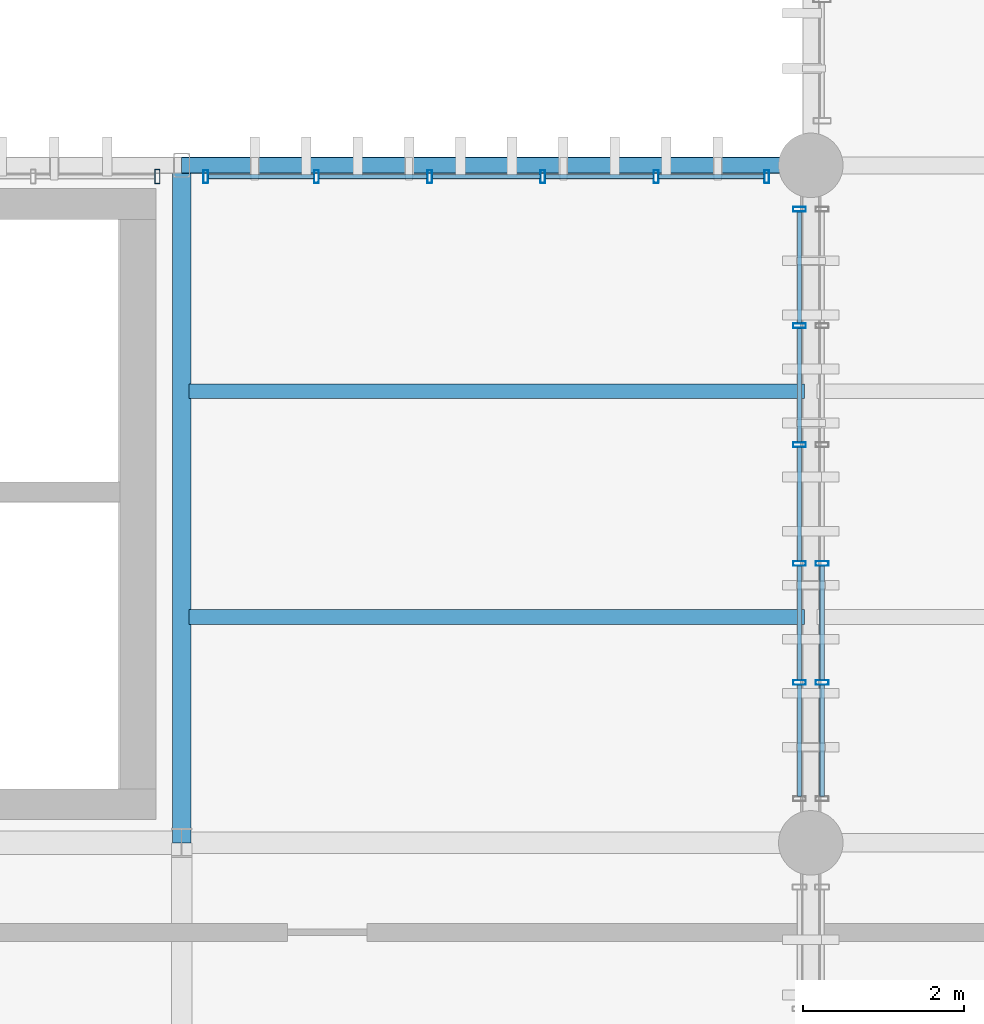
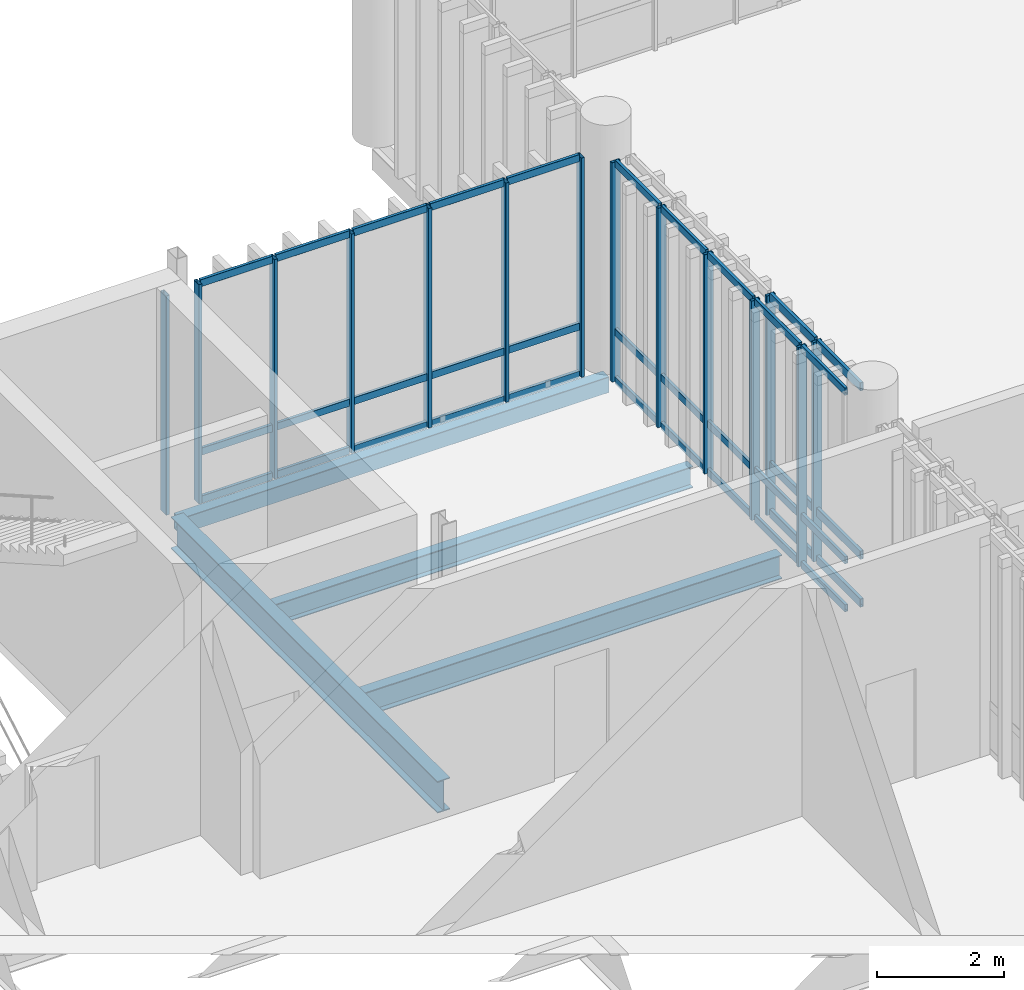
# One storey, part 28 of 94: 50 members, 4 beams, 4 elements without a shape of their own.
"""IFC4 building model written with IfcOpenShell, lengths in metres."""

from ifc_helpers import new_model, si_unit, direction, frame, origin_with_axes, origin_2d_with_axis, place, context, subcontext, project, spatial, hollow_rectangle, i_section, extrude, material, material_profile, profile_set, type_object, element, aggregate, save


model = new_model("IFC4")

# Units and contexts
model_context = context("Model", 3, precision=1e-05, world=origin_with_axes(), true_north=direction((0.0, 1.0)))
body_context = subcontext(model_context, "Body", "Model", "MODEL_VIEW")
ifc_project = project(units=[si_unit("LENGTHUNIT", "METRE"), si_unit("AREAUNIT", "SQUARE_METRE"), si_unit("VOLUMEUNIT", "CUBIC_METRE"), si_unit("PLANEANGLEUNIT", "RADIAN"), si_unit("MASSUNIT", "GRAM", prefix="KILO"), si_unit("THERMODYNAMICTEMPERATUREUNIT", "KELVIN")], contexts=[model_context])

# Site, building, storey
site_placement = place(None, origin_with_axes())
site = spatial("IfcSite", under=ifc_project, at=site_placement, CompositionType="ELEMENT")
building_placement = place(site_placement, origin_with_axes())
building = spatial("IfcBuilding", under=site, at=building_placement, Name="Montbau Bow Law Courts", CompositionType="ELEMENT")
storey_placement = place(building_placement, frame((0.0, 0.0, 15.6), z_axis=(0.0, 0.0, 1.0), x_axis=(1.0, 0.0, 0.0)))
storey = spatial("IfcBuildingStorey", under=building, at=storey_placement, Name="L03", CompositionType="ELEMENT", Elevation=15.6)

# Beams
ifc_material_1 = material(Name="Steel CSA G40.21 Grade 350W (350 MPa)", Category="steel")
ifc_material_profile_1 = material_profile(ifc_material_1, i_section(OverallWidth=0.229, OverallDepth=0.612, WebThickness=0.0119, FlangeThickness=0.0196, at=origin_2d_with_axis()), Name="W610X125", Category="Main", Priority=0)
ifc_profile_set_1 = profile_set([ifc_material_profile_1], Name="Steel CSA G40.21 Grade 350W (350 MPa)")
beam_type_1 = type_object("IfcBeamType", Name="B-FLR-05", PredefinedType="BEAM", material=ifc_profile_set_1)
beam_1_placement = place(None, frame((39.0, 46.2, 15.054), z_axis=(0.0, 1.0, 0.0), x_axis=(-1.0, 0.0, 0.0)))
element("IfcBeam", 1, at=beam_1_placement, inside=storey, type_object=beam_type_1, Name="BM-L03-S0613:bm2_0616", PredefinedType="BEAM", context=body_context, shape_type="SweptSolid", body=[
    extrude(i_section(OverallWidth=0.229, OverallDepth=0.612, WebThickness=0.0119, FlangeThickness=0.0196, at=origin_2d_with_axis()), origin_with_axes(), (0.0, 0.0, 1.0), 8.4),
])
ifc_material_profile_2 = material_profile(ifc_material_1, i_section(OverallWidth=0.191, OverallDepth=0.46, WebThickness=0.0099, FlangeThickness=0.016, at=origin_2d_with_axis()), Name="W460X82", Category="Main", Priority=0)
ifc_profile_set_2 = profile_set([ifc_material_profile_2], Name="Steel CSA G40.21 Grade 350W (350 MPa)")
beam_type_2 = type_object("IfcBeamType", Name="B-JST-01", PredefinedType="JOIST", material=ifc_profile_set_2)
beam_2_placement = place(None, frame((39.09, 49.0, 15.11), z_axis=(1.0, 0.0, 0.0), x_axis=(0.0, 1.0, 0.0)))
element("IfcBeam", 2, at=beam_2_placement, inside=storey, type_object=beam_type_2, Name="JST-L03-S0300:jst2_0300", PredefinedType="JOIST", context=body_context, shape_type="SweptSolid", body=[
    extrude(i_section(OverallWidth=0.191, OverallDepth=0.46, WebThickness=0.0099, FlangeThickness=0.016, at=origin_2d_with_axis()), origin_with_axes(), (0.0, 0.0, 1.0), 7.63),
])
ifc_material_profile_3 = material_profile(ifc_material_1, i_section(OverallWidth=0.179, OverallDepth=0.41, WebThickness=0.0088, FlangeThickness=0.0144, at=origin_2d_with_axis()), Name="W410X67", Category="Main", Priority=0)
ifc_profile_set_3 = profile_set([ifc_material_profile_3], Name="Steel CSA G40.21 Grade 350W (350 MPa)")
beam_type_3 = type_object("IfcBeamType", Name="B-JST-02", PredefinedType="JOIST", material=ifc_profile_set_3)
beam_3_placement = place(None, frame((39.09, 51.8, 15.135), z_axis=(1.0, 0.0, 0.0), x_axis=(0.0, 1.0, 0.0)))
element("IfcBeam", 3, at=beam_3_placement, inside=storey, type_object=beam_type_3, Name="JST-L03-S0301:jst2_0301", PredefinedType="JOIST", context=body_context, shape_type="SweptSolid", body=[
    extrude(i_section(OverallWidth=0.179, OverallDepth=0.41, WebThickness=0.0088, FlangeThickness=0.0144, at=origin_2d_with_axis()), origin_with_axes(), (0.0, 0.0, 1.0), 7.63),
])
ifc_material_2 = material(Name="Steel CSA G40.21 Grade 350WT (350 MPa)", Category="steel")
ifc_material_profile_4 = material_profile(ifc_material_2, hollow_rectangle(XDim=0.203, YDim=0.305, WallThickness=0.0127, InnerFilletRadius=0.0254, OuterFilletRadius=0.0127, at=origin_2d_with_axis()), Name="HSS305X203X13", Category="Main", Priority=0)
ifc_profile_set_4 = profile_set([ifc_material_profile_4], Name="Steel CSA G40.21 Grade 350WT (350 MPa)")
beam_type_4 = type_object("IfcBeamType", Name="B-SPN-02", PredefinedType="SPANDREL", material=ifc_profile_set_4)
beam_4_placement = place(None, frame((39.0, 54.6, 15.188), z_axis=(1.0, 0.0, 0.0), x_axis=(0.0, 1.0, 0.0)))
element("IfcBeam", 4, at=beam_4_placement, inside=storey, type_object=beam_type_4, Name="SPN-L03-S0600:bm2_0603", PredefinedType="SPANDREL", context=body_context, shape_type="SweptSolid", body=[
    extrude(hollow_rectangle(XDim=0.203, YDim=0.305, WallThickness=0.0127, InnerFilletRadius=0.0254, OuterFilletRadius=0.0127, at=origin_2d_with_axis()), origin_with_axes(), (0.0, 0.0, 1.0), 7.8),
])

# Curtain wall, member
ifc_material_3 = material(Name="Thermally Broken Extruded Aluminium AA 6063-T6", Category="aluminium")
curtain_wall_type_1 = type_object("IfcCurtainWallType", Name="CW-TRC-01", PredefinedType="NOTDEFINED", material=ifc_material_3)
curtain_wall_1_placement = place(None, frame((30.867, 54.46, 15.6), z_axis=(0.0, 0.0, 1.0), x_axis=(1.0, 0.0, 0.0)))
curtain_wall_1 = element("IfcCurtainWall", 5, at=curtain_wall_1_placement, inside=storey, type_object=curtain_wall_type_1, Name="CW-L03-058:cw_0058", PredefinedType="NOTDEFINED")
ifc_material_profile_5 = material_profile(ifc_material_3, hollow_rectangle(XDim=0.065, YDim=0.18, WallThickness=0.005, InnerFilletRadius=0.01, OuterFilletRadius=0.005, at=origin_2d_with_axis()), Name="CWM-180X65", Category="Main", Priority=0)
ifc_profile_set_5 = profile_set([ifc_material_profile_5], Name="Thermally Broken Extruded Aluminium AA 6063-T6")
member_type_1 = type_object("IfcMemberType", Name="M-MUL-02", PredefinedType="MULLION", material=ifc_profile_set_5)
member_1_placement = place(None, frame((38.699, 54.46, 15.6), z_axis=(0.0, 0.0, 1.0), x_axis=(1.0, 0.0, 0.0)))
member_1 = element("IfcMember", 6, at=member_1_placement, type_object=member_type_1, Name="CW-L03-058-M06:cw_0058_M06", PredefinedType="MULLION", context=body_context, shape_type="SweptSolid", body=[
    extrude(hollow_rectangle(XDim=0.065, YDim=0.18, WallThickness=0.005, InnerFilletRadius=0.01, OuterFilletRadius=0.005, at=origin_2d_with_axis()), origin_with_axes(), (0.0, 0.0, 1.0), 4.22),
])
aggregate(curtain_wall_1, [member_1])

# Curtain wall, members
curtain_wall_2_placement = place(None, frame((39.268, 54.46, 15.6), z_axis=(0.0, 0.0, 1.0), x_axis=(1.0, 0.0, 0.0)))
curtain_wall_2 = element("IfcCurtainWall", 7, at=curtain_wall_2_placement, inside=storey, type_object=curtain_wall_type_1, Name="CW-L03-059:cw_0059", PredefinedType="NOTDEFINED")
ifc_material_profile_6 = material_profile(ifc_material_3, hollow_rectangle(XDim=0.06, YDim=0.16, WallThickness=0.004, InnerFilletRadius=0.008, OuterFilletRadius=0.004, at=origin_2d_with_axis()), Name="CWM-160X60", Category="Main", Priority=0)
ifc_profile_set_6 = profile_set([ifc_material_profile_6], Name="Thermally Broken Extruded Aluminium AA 6063-T6")
member_type_2 = type_object("IfcMemberType", Name="M-MUL-03", PredefinedType="MULLION", material=ifc_profile_set_6)
member_2_placement = place(None, frame((39.298, 54.46, 15.6), z_axis=(0.0, 0.0, 1.0), x_axis=(1.0, 0.0, 0.0)))
member_2 = element("IfcMember", 8, at=member_2_placement, type_object=member_type_2, Name="CW-L03-059-M01:cw_0059_M01", PredefinedType="MULLION", context=body_context, shape_type="SweptSolid", body=[
    extrude(hollow_rectangle(XDim=0.06, YDim=0.16, WallThickness=0.004, InnerFilletRadius=0.008, OuterFilletRadius=0.004, at=origin_2d_with_axis()), origin_with_axes(), (0.0, 0.0, 1.0), 4.22),
])
member_3_placement = place(None, frame((40.671, 54.46, 15.6), z_axis=(0.0, 0.0, 1.0), x_axis=(1.0, 0.0, 0.0)))
member_3 = element("IfcMember", 9, at=member_3_placement, type_object=member_type_2, Name="CW-L03-059-M02:cw_0059_M02", PredefinedType="MULLION", context=body_context, shape_type="SweptSolid", body=[
    extrude(hollow_rectangle(XDim=0.06, YDim=0.16, WallThickness=0.004, InnerFilletRadius=0.008, OuterFilletRadius=0.004, at=origin_2d_with_axis()), origin_with_axes(), (0.0, 0.0, 1.0), 4.22),
])
member_4_placement = place(None, frame((42.075, 54.46, 15.6), z_axis=(0.0, 0.0, 1.0), x_axis=(1.0, 0.0, 0.0)))
member_4 = element("IfcMember", 10, at=member_4_placement, type_object=member_type_2, Name="CW-L03-059-M03:cw_0059_M03", PredefinedType="MULLION", context=body_context, shape_type="SweptSolid", body=[
    extrude(hollow_rectangle(XDim=0.06, YDim=0.16, WallThickness=0.004, InnerFilletRadius=0.008, OuterFilletRadius=0.004, at=origin_2d_with_axis()), origin_with_axes(), (0.0, 0.0, 1.0), 4.22),
])
member_5_placement = place(None, frame((43.478, 54.46, 15.6), z_axis=(0.0, 0.0, 1.0), x_axis=(1.0, 0.0, 0.0)))
member_5 = element("IfcMember", 11, at=member_5_placement, type_object=member_type_2, Name="CW-L03-059-M04:cw_0059_M04", PredefinedType="MULLION", context=body_context, shape_type="SweptSolid", body=[
    extrude(hollow_rectangle(XDim=0.06, YDim=0.16, WallThickness=0.004, InnerFilletRadius=0.008, OuterFilletRadius=0.004, at=origin_2d_with_axis()), origin_with_axes(), (0.0, 0.0, 1.0), 4.22),
])
member_6_placement = place(None, frame((44.882, 54.46, 15.6), z_axis=(0.0, 0.0, 1.0), x_axis=(1.0, 0.0, 0.0)))
member_6 = element("IfcMember", 12, at=member_6_placement, type_object=member_type_2, Name="CW-L03-059-M05:cw_0059_M05", PredefinedType="MULLION", context=body_context, shape_type="SweptSolid", body=[
    extrude(hollow_rectangle(XDim=0.06, YDim=0.16, WallThickness=0.004, InnerFilletRadius=0.008, OuterFilletRadius=0.004, at=origin_2d_with_axis()), origin_with_axes(), (0.0, 0.0, 1.0), 4.22),
])
member_7_placement = place(None, frame((46.255, 54.46, 15.6), z_axis=(0.0, 0.0, 1.0), x_axis=(1.0, 0.0, 0.0)))
member_7 = element("IfcMember", 13, at=member_7_placement, type_object=member_type_2, Name="CW-L03-059-M06:cw_0059_M06", PredefinedType="MULLION", context=body_context, shape_type="SweptSolid", body=[
    extrude(hollow_rectangle(XDim=0.06, YDim=0.16, WallThickness=0.004, InnerFilletRadius=0.008, OuterFilletRadius=0.004, at=origin_2d_with_axis()), origin_with_axes(), (0.0, 0.0, 1.0), 4.22),
])

curtain_wall_3_placement = place(None, frame((46.66, 46.715, 15.6), z_axis=(0.0, 0.0, 1.0), x_axis=(1.0, 0.0, 0.0)))
curtain_wall_3 = element("IfcCurtainWall", 14, at=curtain_wall_3_placement, inside=storey, type_object=curtain_wall_type_1, Name="CW-L03-065:cw_0065", PredefinedType="NOTDEFINED")
member_8_placement = place(None, frame((46.66, 48.189, 15.6), z_axis=(0.0, 0.0, 1.0), x_axis=(0.0, 1.0, 0.0)))
member_8 = element("IfcMember", 15, at=member_8_placement, type_object=member_type_2, Name="CW-L03-065-M02:cw_0065_M02", PredefinedType="MULLION", context=body_context, shape_type="SweptSolid", body=[
    extrude(hollow_rectangle(XDim=0.06, YDim=0.16, WallThickness=0.004, InnerFilletRadius=0.008, OuterFilletRadius=0.004, at=origin_2d_with_axis()), origin_with_axes(), (0.0, 0.0, 1.0), 4.22),
])
member_9_placement = place(None, frame((46.66, 49.663, 15.6), z_axis=(0.0, 0.0, 1.0), x_axis=(0.0, 1.0, 0.0)))
member_9 = element("IfcMember", 16, at=member_9_placement, type_object=member_type_2, Name="CW-L03-065-M03:cw_0065_M03", PredefinedType="MULLION", context=body_context, shape_type="SweptSolid", body=[
    extrude(hollow_rectangle(XDim=0.06, YDim=0.16, WallThickness=0.004, InnerFilletRadius=0.008, OuterFilletRadius=0.004, at=origin_2d_with_axis()), origin_with_axes(), (0.0, 0.0, 1.0), 4.22),
])
member_10_placement = place(None, frame((46.66, 51.137, 15.6), z_axis=(0.0, 0.0, 1.0), x_axis=(0.0, 1.0, 0.0)))
member_10 = element("IfcMember", 17, at=member_10_placement, type_object=member_type_2, Name="CW-L03-065-M04:cw_0065_M04", PredefinedType="MULLION", context=body_context, shape_type="SweptSolid", body=[
    extrude(hollow_rectangle(XDim=0.06, YDim=0.16, WallThickness=0.004, InnerFilletRadius=0.008, OuterFilletRadius=0.004, at=origin_2d_with_axis()), origin_with_axes(), (0.0, 0.0, 1.0), 4.22),
])
member_11_placement = place(None, frame((46.66, 52.611, 15.6), z_axis=(0.0, 0.0, 1.0), x_axis=(0.0, 1.0, 0.0)))
member_11 = element("IfcMember", 18, at=member_11_placement, type_object=member_type_2, Name="CW-L03-065-M05:cw_0065_M05", PredefinedType="MULLION", context=body_context, shape_type="SweptSolid", body=[
    extrude(hollow_rectangle(XDim=0.06, YDim=0.16, WallThickness=0.004, InnerFilletRadius=0.008, OuterFilletRadius=0.004, at=origin_2d_with_axis()), origin_with_axes(), (0.0, 0.0, 1.0), 4.22),
])
member_12_placement = place(None, frame((46.66, 54.055, 15.6), z_axis=(0.0, 0.0, 1.0), x_axis=(0.0, 1.0, 0.0)))
member_12 = element("IfcMember", 19, at=member_12_placement, type_object=member_type_2, Name="CW-L03-065-M06:cw_0065_M06", PredefinedType="MULLION", context=body_context, shape_type="SweptSolid", body=[
    extrude(hollow_rectangle(XDim=0.06, YDim=0.16, WallThickness=0.004, InnerFilletRadius=0.008, OuterFilletRadius=0.004, at=origin_2d_with_axis()), origin_with_axes(), (0.0, 0.0, 1.0), 4.22),
])

curtain_wall_type_2 = type_object("IfcCurtainWallType", Name="CW-CRM-01", PredefinedType="NOTDEFINED", material=ifc_material_3)
curtain_wall_4_placement = place(None, frame((46.94, 46.715, 15.6), z_axis=(0.0, 0.0, 1.0), x_axis=(1.0, 0.0, 0.0)))
curtain_wall_4 = element("IfcCurtainWall", 20, at=curtain_wall_4_placement, inside=storey, type_object=curtain_wall_type_2, Name="CW-L03-188:cw_0188", PredefinedType="NOTDEFINED")
member_13_placement = place(None, frame((46.94, 48.189, 15.6), z_axis=(0.0, 0.0, 1.0), x_axis=(0.0, 1.0, 0.0)))
member_13 = element("IfcMember", 21, at=member_13_placement, type_object=member_type_2, Name="CW-L03-188-M02:cw_0188_M02", PredefinedType="MULLION", context=body_context, shape_type="SweptSolid", body=[
    extrude(hollow_rectangle(XDim=0.06, YDim=0.16, WallThickness=0.004, InnerFilletRadius=0.008, OuterFilletRadius=0.004, at=origin_2d_with_axis()), origin_with_axes(), (0.0, 0.0, 1.0), 4.22),
])
member_14_placement = place(None, frame((46.94, 49.663, 15.6), z_axis=(0.0, 0.0, 1.0), x_axis=(0.0, 1.0, 0.0)))
member_14 = element("IfcMember", 22, at=member_14_placement, type_object=member_type_2, Name="CW-L03-188-M03:cw_0188_M03", PredefinedType="MULLION", context=body_context, shape_type="SweptSolid", body=[
    extrude(hollow_rectangle(XDim=0.06, YDim=0.16, WallThickness=0.004, InnerFilletRadius=0.008, OuterFilletRadius=0.004, at=origin_2d_with_axis()), origin_with_axes(), (0.0, 0.0, 1.0), 4.22),
])
ifc_material_profile_7 = material_profile(ifc_material_3, hollow_rectangle(XDim=0.06, YDim=0.16, WallThickness=0.004, InnerFilletRadius=0.008, OuterFilletRadius=0.004, at=origin_2d_with_axis()), Name="CWT-160X60", Category="Main", Priority=0)
ifc_profile_set_7 = profile_set([ifc_material_profile_7], Name="Thermally Broken Extruded Aluminium AA 6063-T6")
member_type_3 = type_object("IfcMemberType", Name="M-TRN-01", PredefinedType="USERDEFINED", material=ifc_profile_set_7)
member_15_placement = place(None, frame((46.94, 46.777, 15.63), z_axis=(0.0, 1.0, 0.0), x_axis=(-1.0, 0.0, 0.0)))
member_15 = element("IfcMember", 23, at=member_15_placement, type_object=member_type_3, Name="CW-L03-188-T01-1:cw_0188_T01_1", ObjectType="TRANSOM", PredefinedType="USERDEFINED", context=body_context, shape_type="SweptSolid", body=[
    extrude(hollow_rectangle(XDim=0.06, YDim=0.16, WallThickness=0.004, InnerFilletRadius=0.008, OuterFilletRadius=0.004, at=origin_2d_with_axis()), origin_with_axes(), (0.0, 0.0, 1.0), 1.38),
])
member_16_placement = place(None, frame((46.94, 46.777, 16.55), z_axis=(0.0, 1.0, 0.0), x_axis=(-1.0, 0.0, 0.0)))
member_16 = element("IfcMember", 24, at=member_16_placement, type_object=member_type_3, Name="CW-L03-188-T01-2:cw_0188_T01_2", ObjectType="TRANSOM", PredefinedType="USERDEFINED", context=body_context, shape_type="SweptSolid", body=[
    extrude(hollow_rectangle(XDim=0.06, YDim=0.16, WallThickness=0.004, InnerFilletRadius=0.008, OuterFilletRadius=0.004, at=origin_2d_with_axis()), origin_with_axes(), (0.0, 0.0, 1.0), 1.38),
])
member_17_placement = place(None, frame((46.94, 46.777, 19.79), z_axis=(0.0, 1.0, 0.0), x_axis=(-1.0, 0.0, 0.0)))
member_17 = element("IfcMember", 25, at=member_17_placement, type_object=member_type_3, Name="CW-L03-188-T01-3:cw_0188_T01_3", ObjectType="TRANSOM", PredefinedType="USERDEFINED", context=body_context, shape_type="SweptSolid", body=[
    extrude(hollow_rectangle(XDim=0.06, YDim=0.16, WallThickness=0.004, InnerFilletRadius=0.008, OuterFilletRadius=0.004, at=origin_2d_with_axis()), origin_with_axes(), (0.0, 0.0, 1.0), 1.38),
])
member_18_placement = place(None, frame((46.94, 48.221, 15.63), z_axis=(0.0, 1.0, 0.0), x_axis=(-1.0, 0.0, 0.0)))
member_18 = element("IfcMember", 26, at=member_18_placement, type_object=member_type_3, Name="CW-L03-188-T02-1:cw_0188_T02_1", ObjectType="TRANSOM", PredefinedType="USERDEFINED", context=body_context, shape_type="SweptSolid", body=[
    extrude(hollow_rectangle(XDim=0.06, YDim=0.16, WallThickness=0.004, InnerFilletRadius=0.008, OuterFilletRadius=0.004, at=origin_2d_with_axis()), origin_with_axes(), (0.0, 0.0, 1.0), 1.41),
])
member_19_placement = place(None, frame((46.94, 48.221, 16.55), z_axis=(0.0, 1.0, 0.0), x_axis=(-1.0, 0.0, 0.0)))
member_19 = element("IfcMember", 27, at=member_19_placement, type_object=member_type_3, Name="CW-L03-188-T02-2:cw_0188_T02_2", ObjectType="TRANSOM", PredefinedType="USERDEFINED", context=body_context, shape_type="SweptSolid", body=[
    extrude(hollow_rectangle(XDim=0.06, YDim=0.16, WallThickness=0.004, InnerFilletRadius=0.008, OuterFilletRadius=0.004, at=origin_2d_with_axis()), origin_with_axes(), (0.0, 0.0, 1.0), 1.41),
])
member_20_placement = place(None, frame((46.94, 48.221, 19.79), z_axis=(0.0, 1.0, 0.0), x_axis=(-1.0, 0.0, 0.0)))
member_20 = element("IfcMember", 28, at=member_20_placement, type_object=member_type_3, Name="CW-L03-188-T02-3:cw_0188_T02_3", ObjectType="TRANSOM", PredefinedType="USERDEFINED", context=body_context, shape_type="SweptSolid", body=[
    extrude(hollow_rectangle(XDim=0.06, YDim=0.16, WallThickness=0.004, InnerFilletRadius=0.008, OuterFilletRadius=0.004, at=origin_2d_with_axis()), origin_with_axes(), (0.0, 0.0, 1.0), 1.41),
])
aggregate(curtain_wall_4, [member_13, member_14, member_15, member_16, member_17, member_18, member_19, member_20])

# Member
ifc_material_profile_8 = material_profile(ifc_material_3, hollow_rectangle(XDim=0.055, YDim=0.14, WallThickness=0.004, InnerFilletRadius=0.008, OuterFilletRadius=0.004, at=origin_2d_with_axis()), Name="CWT-140X55", Category="Main", Priority=0)
ifc_profile_set_8 = profile_set([ifc_material_profile_8], Name="Thermally Broken Extruded Aluminium AA 6063-T6")
member_type_4 = type_object("IfcMemberType", Name="M-TRN-02", PredefinedType="USERDEFINED", material=ifc_profile_set_8)
member_21_placement = place(None, frame((39.33, 54.46, 15.627), z_axis=(1.0, 0.0, 0.0), x_axis=(0.0, 1.0, 0.0)))
member_21 = element("IfcMember", 29, at=member_21_placement, type_object=member_type_4, Name="CW-L03-059-T01-1:cw_0059_T01_1", ObjectType="TRANSOM", PredefinedType="USERDEFINED", context=body_context, shape_type="SweptSolid", body=[
    extrude(hollow_rectangle(XDim=0.055, YDim=0.14, WallThickness=0.004, InnerFilletRadius=0.008, OuterFilletRadius=0.004, at=origin_2d_with_axis()), origin_with_axes(), (0.0, 0.0, 1.0), 1.309),
])

member_22_placement = place(None, frame((39.33, 54.46, 16.55), z_axis=(1.0, 0.0, 0.0), x_axis=(0.0, 1.0, 0.0)))
member_22 = element("IfcMember", 30, at=member_22_placement, type_object=member_type_4, Name="CW-L03-059-T01-2:cw_0059_T01_2", ObjectType="TRANSOM", PredefinedType="USERDEFINED", context=body_context, shape_type="SweptSolid", body=[
    extrude(hollow_rectangle(XDim=0.055, YDim=0.14, WallThickness=0.004, InnerFilletRadius=0.008, OuterFilletRadius=0.004, at=origin_2d_with_axis()), origin_with_axes(), (0.0, 0.0, 1.0), 1.309),
])

member_23_placement = place(None, frame((39.33, 54.46, 19.793), z_axis=(1.0, 0.0, 0.0), x_axis=(0.0, 1.0, 0.0)))
member_23 = element("IfcMember", 31, at=member_23_placement, type_object=member_type_4, Name="CW-L03-059-T01-3:cw_0059_T01_3", ObjectType="TRANSOM", PredefinedType="USERDEFINED", context=body_context, shape_type="SweptSolid", body=[
    extrude(hollow_rectangle(XDim=0.055, YDim=0.14, WallThickness=0.004, InnerFilletRadius=0.008, OuterFilletRadius=0.004, at=origin_2d_with_axis()), origin_with_axes(), (0.0, 0.0, 1.0), 1.309),
])

member_24_placement = place(None, frame((40.703, 54.46, 15.627), z_axis=(1.0, 0.0, 0.0), x_axis=(0.0, 1.0, 0.0)))
member_24 = element("IfcMember", 32, at=member_24_placement, type_object=member_type_4, Name="CW-L03-059-T02-1:cw_0059_T02_1", ObjectType="TRANSOM", PredefinedType="USERDEFINED", context=body_context, shape_type="SweptSolid", body=[
    extrude(hollow_rectangle(XDim=0.055, YDim=0.14, WallThickness=0.004, InnerFilletRadius=0.008, OuterFilletRadius=0.004, at=origin_2d_with_axis()), origin_with_axes(), (0.0, 0.0, 1.0), 1.34),
])

member_25_placement = place(None, frame((40.703, 54.46, 16.55), z_axis=(1.0, 0.0, 0.0), x_axis=(0.0, 1.0, 0.0)))
member_25 = element("IfcMember", 33, at=member_25_placement, type_object=member_type_4, Name="CW-L03-059-T02-2:cw_0059_T02_2", ObjectType="TRANSOM", PredefinedType="USERDEFINED", context=body_context, shape_type="SweptSolid", body=[
    extrude(hollow_rectangle(XDim=0.055, YDim=0.14, WallThickness=0.004, InnerFilletRadius=0.008, OuterFilletRadius=0.004, at=origin_2d_with_axis()), origin_with_axes(), (0.0, 0.0, 1.0), 1.34),
])

member_26_placement = place(None, frame((40.703, 54.46, 19.793), z_axis=(1.0, 0.0, 0.0), x_axis=(0.0, 1.0, 0.0)))
member_26 = element("IfcMember", 34, at=member_26_placement, type_object=member_type_4, Name="CW-L03-059-T02-3:cw_0059_T02_3", ObjectType="TRANSOM", PredefinedType="USERDEFINED", context=body_context, shape_type="SweptSolid", body=[
    extrude(hollow_rectangle(XDim=0.055, YDim=0.14, WallThickness=0.004, InnerFilletRadius=0.008, OuterFilletRadius=0.004, at=origin_2d_with_axis()), origin_with_axes(), (0.0, 0.0, 1.0), 1.34),
])

member_27_placement = place(None, frame((42.107, 54.46, 15.627), z_axis=(1.0, 0.0, 0.0), x_axis=(0.0, 1.0, 0.0)))
member_27 = element("IfcMember", 35, at=member_27_placement, type_object=member_type_4, Name="CW-L03-059-T03-1:cw_0059_T03_1", ObjectType="TRANSOM", PredefinedType="USERDEFINED", context=body_context, shape_type="SweptSolid", body=[
    extrude(hollow_rectangle(XDim=0.055, YDim=0.14, WallThickness=0.004, InnerFilletRadius=0.008, OuterFilletRadius=0.004, at=origin_2d_with_axis()), origin_with_axes(), (0.0, 0.0, 1.0), 1.339),
])

member_28_placement = place(None, frame((42.107, 54.46, 16.55), z_axis=(1.0, 0.0, 0.0), x_axis=(0.0, 1.0, 0.0)))
member_28 = element("IfcMember", 36, at=member_28_placement, type_object=member_type_4, Name="CW-L03-059-T03-2:cw_0059_T03_2", ObjectType="TRANSOM", PredefinedType="USERDEFINED", context=body_context, shape_type="SweptSolid", body=[
    extrude(hollow_rectangle(XDim=0.055, YDim=0.14, WallThickness=0.004, InnerFilletRadius=0.008, OuterFilletRadius=0.004, at=origin_2d_with_axis()), origin_with_axes(), (0.0, 0.0, 1.0), 1.339),
])

member_29_placement = place(None, frame((42.107, 54.46, 19.793), z_axis=(1.0, 0.0, 0.0), x_axis=(0.0, 1.0, 0.0)))
member_29 = element("IfcMember", 37, at=member_29_placement, type_object=member_type_4, Name="CW-L03-059-T03-3:cw_0059_T03_3", ObjectType="TRANSOM", PredefinedType="USERDEFINED", context=body_context, shape_type="SweptSolid", body=[
    extrude(hollow_rectangle(XDim=0.055, YDim=0.14, WallThickness=0.004, InnerFilletRadius=0.008, OuterFilletRadius=0.004, at=origin_2d_with_axis()), origin_with_axes(), (0.0, 0.0, 1.0), 1.339),
])

member_30_placement = place(None, frame((43.51, 54.46, 15.627), z_axis=(1.0, 0.0, 0.0), x_axis=(0.0, 1.0, 0.0)))
member_30 = element("IfcMember", 38, at=member_30_placement, type_object=member_type_4, Name="CW-L03-059-T04-1:cw_0059_T04_1", ObjectType="TRANSOM", PredefinedType="USERDEFINED", context=body_context, shape_type="SweptSolid", body=[
    extrude(hollow_rectangle(XDim=0.055, YDim=0.14, WallThickness=0.004, InnerFilletRadius=0.008, OuterFilletRadius=0.004, at=origin_2d_with_axis()), origin_with_axes(), (0.0, 0.0, 1.0), 1.34),
])

member_31_placement = place(None, frame((43.51, 54.46, 16.55), z_axis=(1.0, 0.0, 0.0), x_axis=(0.0, 1.0, 0.0)))
member_31 = element("IfcMember", 39, at=member_31_placement, type_object=member_type_4, Name="CW-L03-059-T04-2:cw_0059_T04_2", ObjectType="TRANSOM", PredefinedType="USERDEFINED", context=body_context, shape_type="SweptSolid", body=[
    extrude(hollow_rectangle(XDim=0.055, YDim=0.14, WallThickness=0.004, InnerFilletRadius=0.008, OuterFilletRadius=0.004, at=origin_2d_with_axis()), origin_with_axes(), (0.0, 0.0, 1.0), 1.34),
])

member_32_placement = place(None, frame((43.51, 54.46, 19.793), z_axis=(1.0, 0.0, 0.0), x_axis=(0.0, 1.0, 0.0)))
member_32 = element("IfcMember", 40, at=member_32_placement, type_object=member_type_4, Name="CW-L03-059-T04-3:cw_0059_T04_3", ObjectType="TRANSOM", PredefinedType="USERDEFINED", context=body_context, shape_type="SweptSolid", body=[
    extrude(hollow_rectangle(XDim=0.055, YDim=0.14, WallThickness=0.004, InnerFilletRadius=0.008, OuterFilletRadius=0.004, at=origin_2d_with_axis()), origin_with_axes(), (0.0, 0.0, 1.0), 1.34),
])

member_33_placement = place(None, frame((44.914, 54.46, 15.627), z_axis=(1.0, 0.0, 0.0), x_axis=(0.0, 1.0, 0.0)))
member_33 = element("IfcMember", 41, at=member_33_placement, type_object=member_type_4, Name="CW-L03-059-T05-1:cw_0059_T05_1", ObjectType="TRANSOM", PredefinedType="USERDEFINED", context=body_context, shape_type="SweptSolid", body=[
    extrude(hollow_rectangle(XDim=0.055, YDim=0.14, WallThickness=0.004, InnerFilletRadius=0.008, OuterFilletRadius=0.004, at=origin_2d_with_axis()), origin_with_axes(), (0.0, 0.0, 1.0), 1.309),
])

member_34_placement = place(None, frame((44.914, 54.46, 16.55), z_axis=(1.0, 0.0, 0.0), x_axis=(0.0, 1.0, 0.0)))
member_34 = element("IfcMember", 42, at=member_34_placement, type_object=member_type_4, Name="CW-L03-059-T05-2:cw_0059_T05_2", ObjectType="TRANSOM", PredefinedType="USERDEFINED", context=body_context, shape_type="SweptSolid", body=[
    extrude(hollow_rectangle(XDim=0.055, YDim=0.14, WallThickness=0.004, InnerFilletRadius=0.008, OuterFilletRadius=0.004, at=origin_2d_with_axis()), origin_with_axes(), (0.0, 0.0, 1.0), 1.309),
])

member_35_placement = place(None, frame((44.914, 54.46, 19.793), z_axis=(1.0, 0.0, 0.0), x_axis=(0.0, 1.0, 0.0)))
member_35 = element("IfcMember", 43, at=member_35_placement, type_object=member_type_4, Name="CW-L03-059-T05-3:cw_0059_T05_3", ObjectType="TRANSOM", PredefinedType="USERDEFINED", context=body_context, shape_type="SweptSolid", body=[
    extrude(hollow_rectangle(XDim=0.055, YDim=0.14, WallThickness=0.004, InnerFilletRadius=0.008, OuterFilletRadius=0.004, at=origin_2d_with_axis()), origin_with_axes(), (0.0, 0.0, 1.0), 1.309),
])

aggregate(curtain_wall_2, [member_2, member_3, member_4, member_5, member_6, member_7, member_21, member_22, member_23, member_24, member_25, member_26, member_27, member_28, member_29, member_30, member_31, member_32, member_33, member_34, member_35])

member_36_placement = place(None, frame((46.66, 46.777, 15.627), z_axis=(0.0, 1.0, 0.0), x_axis=(-1.0, 0.0, 0.0)))
member_36 = element("IfcMember", 44, at=member_36_placement, type_object=member_type_4, Name="CW-L03-065-T01-1:cw_0065_T01_1", ObjectType="TRANSOM", PredefinedType="USERDEFINED", context=body_context, shape_type="SweptSolid", body=[
    extrude(hollow_rectangle(XDim=0.055, YDim=0.14, WallThickness=0.004, InnerFilletRadius=0.008, OuterFilletRadius=0.004, at=origin_2d_with_axis()), origin_with_axes(), (0.0, 0.0, 1.0), 1.38),
])

member_37_placement = place(None, frame((46.66, 46.777, 16.55), z_axis=(0.0, 1.0, 0.0), x_axis=(-1.0, 0.0, 0.0)))
member_37 = element("IfcMember", 45, at=member_37_placement, type_object=member_type_4, Name="CW-L03-065-T01-2:cw_0065_T01_2", ObjectType="TRANSOM", PredefinedType="USERDEFINED", context=body_context, shape_type="SweptSolid", body=[
    extrude(hollow_rectangle(XDim=0.055, YDim=0.14, WallThickness=0.004, InnerFilletRadius=0.008, OuterFilletRadius=0.004, at=origin_2d_with_axis()), origin_with_axes(), (0.0, 0.0, 1.0), 1.38),
])

member_38_placement = place(None, frame((46.66, 46.777, 19.793), z_axis=(0.0, 1.0, 0.0), x_axis=(-1.0, 0.0, 0.0)))
member_38 = element("IfcMember", 46, at=member_38_placement, type_object=member_type_4, Name="CW-L03-065-T01-3:cw_0065_T01_3", ObjectType="TRANSOM", PredefinedType="USERDEFINED", context=body_context, shape_type="SweptSolid", body=[
    extrude(hollow_rectangle(XDim=0.055, YDim=0.14, WallThickness=0.004, InnerFilletRadius=0.008, OuterFilletRadius=0.004, at=origin_2d_with_axis()), origin_with_axes(), (0.0, 0.0, 1.0), 1.38),
])

member_39_placement = place(None, frame((46.66, 48.221, 15.627), z_axis=(0.0, 1.0, 0.0), x_axis=(-1.0, 0.0, 0.0)))
member_39 = element("IfcMember", 47, at=member_39_placement, type_object=member_type_4, Name="CW-L03-065-T02-1:cw_0065_T02_1", ObjectType="TRANSOM", PredefinedType="USERDEFINED", context=body_context, shape_type="SweptSolid", body=[
    extrude(hollow_rectangle(XDim=0.055, YDim=0.14, WallThickness=0.004, InnerFilletRadius=0.008, OuterFilletRadius=0.004, at=origin_2d_with_axis()), origin_with_axes(), (0.0, 0.0, 1.0), 1.41),
])

member_40_placement = place(None, frame((46.66, 48.221, 16.55), z_axis=(0.0, 1.0, 0.0), x_axis=(-1.0, 0.0, 0.0)))
member_40 = element("IfcMember", 48, at=member_40_placement, type_object=member_type_4, Name="CW-L03-065-T02-2:cw_0065_T02_2", ObjectType="TRANSOM", PredefinedType="USERDEFINED", context=body_context, shape_type="SweptSolid", body=[
    extrude(hollow_rectangle(XDim=0.055, YDim=0.14, WallThickness=0.004, InnerFilletRadius=0.008, OuterFilletRadius=0.004, at=origin_2d_with_axis()), origin_with_axes(), (0.0, 0.0, 1.0), 1.41),
])

member_41_placement = place(None, frame((46.66, 48.221, 19.793), z_axis=(0.0, 1.0, 0.0), x_axis=(-1.0, 0.0, 0.0)))
member_41 = element("IfcMember", 49, at=member_41_placement, type_object=member_type_4, Name="CW-L03-065-T02-3:cw_0065_T02_3", ObjectType="TRANSOM", PredefinedType="USERDEFINED", context=body_context, shape_type="SweptSolid", body=[
    extrude(hollow_rectangle(XDim=0.055, YDim=0.14, WallThickness=0.004, InnerFilletRadius=0.008, OuterFilletRadius=0.004, at=origin_2d_with_axis()), origin_with_axes(), (0.0, 0.0, 1.0), 1.41),
])

member_42_placement = place(None, frame((46.66, 49.695, 15.627), z_axis=(0.0, 1.0, 0.0), x_axis=(-1.0, 0.0, 0.0)))
member_42 = element("IfcMember", 50, at=member_42_placement, type_object=member_type_4, Name="CW-L03-065-T03-1:cw_0065_T03_1", ObjectType="TRANSOM", PredefinedType="USERDEFINED", context=body_context, shape_type="SweptSolid", body=[
    extrude(hollow_rectangle(XDim=0.055, YDim=0.14, WallThickness=0.004, InnerFilletRadius=0.008, OuterFilletRadius=0.004, at=origin_2d_with_axis()), origin_with_axes(), (0.0, 0.0, 1.0), 1.41),
])

member_43_placement = place(None, frame((46.66, 49.695, 16.55), z_axis=(0.0, 1.0, 0.0), x_axis=(-1.0, 0.0, 0.0)))
member_43 = element("IfcMember", 51, at=member_43_placement, type_object=member_type_4, Name="CW-L03-065-T03-2:cw_0065_T03_2", ObjectType="TRANSOM", PredefinedType="USERDEFINED", context=body_context, shape_type="SweptSolid", body=[
    extrude(hollow_rectangle(XDim=0.055, YDim=0.14, WallThickness=0.004, InnerFilletRadius=0.008, OuterFilletRadius=0.004, at=origin_2d_with_axis()), origin_with_axes(), (0.0, 0.0, 1.0), 1.41),
])

member_44_placement = place(None, frame((46.66, 49.695, 19.793), z_axis=(0.0, 1.0, 0.0), x_axis=(-1.0, 0.0, 0.0)))
member_44 = element("IfcMember", 52, at=member_44_placement, type_object=member_type_4, Name="CW-L03-065-T03-3:cw_0065_T03_3", ObjectType="TRANSOM", PredefinedType="USERDEFINED", context=body_context, shape_type="SweptSolid", body=[
    extrude(hollow_rectangle(XDim=0.055, YDim=0.14, WallThickness=0.004, InnerFilletRadius=0.008, OuterFilletRadius=0.004, at=origin_2d_with_axis()), origin_with_axes(), (0.0, 0.0, 1.0), 1.41),
])

member_45_placement = place(None, frame((46.66, 51.169, 15.627), z_axis=(0.0, 1.0, 0.0), x_axis=(-1.0, 0.0, 0.0)))
member_45 = element("IfcMember", 53, at=member_45_placement, type_object=member_type_4, Name="CW-L03-065-T04-1:cw_0065_T04_1", ObjectType="TRANSOM", PredefinedType="USERDEFINED", context=body_context, shape_type="SweptSolid", body=[
    extrude(hollow_rectangle(XDim=0.055, YDim=0.14, WallThickness=0.004, InnerFilletRadius=0.008, OuterFilletRadius=0.004, at=origin_2d_with_axis()), origin_with_axes(), (0.0, 0.0, 1.0), 1.41),
])

member_46_placement = place(None, frame((46.66, 51.169, 16.55), z_axis=(0.0, 1.0, 0.0), x_axis=(-1.0, 0.0, 0.0)))
member_46 = element("IfcMember", 54, at=member_46_placement, type_object=member_type_4, Name="CW-L03-065-T04-2:cw_0065_T04_2", ObjectType="TRANSOM", PredefinedType="USERDEFINED", context=body_context, shape_type="SweptSolid", body=[
    extrude(hollow_rectangle(XDim=0.055, YDim=0.14, WallThickness=0.004, InnerFilletRadius=0.008, OuterFilletRadius=0.004, at=origin_2d_with_axis()), origin_with_axes(), (0.0, 0.0, 1.0), 1.41),
])

member_47_placement = place(None, frame((46.66, 51.169, 19.793), z_axis=(0.0, 1.0, 0.0), x_axis=(-1.0, 0.0, 0.0)))
member_47 = element("IfcMember", 55, at=member_47_placement, type_object=member_type_4, Name="CW-L03-065-T04-3:cw_0065_T04_3", ObjectType="TRANSOM", PredefinedType="USERDEFINED", context=body_context, shape_type="SweptSolid", body=[
    extrude(hollow_rectangle(XDim=0.055, YDim=0.14, WallThickness=0.004, InnerFilletRadius=0.008, OuterFilletRadius=0.004, at=origin_2d_with_axis()), origin_with_axes(), (0.0, 0.0, 1.0), 1.41),
])

member_48_placement = place(None, frame((46.66, 52.643, 15.627), z_axis=(0.0, 1.0, 0.0), x_axis=(-1.0, 0.0, 0.0)))
member_48 = element("IfcMember", 56, at=member_48_placement, type_object=member_type_4, Name="CW-L03-065-T05-1:cw_0065_T05_1", ObjectType="TRANSOM", PredefinedType="USERDEFINED", context=body_context, shape_type="SweptSolid", body=[
    extrude(hollow_rectangle(XDim=0.055, YDim=0.14, WallThickness=0.004, InnerFilletRadius=0.008, OuterFilletRadius=0.004, at=origin_2d_with_axis()), origin_with_axes(), (0.0, 0.0, 1.0), 1.38),
])

member_49_placement = place(None, frame((46.66, 52.643, 16.55), z_axis=(0.0, 1.0, 0.0), x_axis=(-1.0, 0.0, 0.0)))
member_49 = element("IfcMember", 57, at=member_49_placement, type_object=member_type_4, Name="CW-L03-065-T05-2:cw_0065_T05_2", ObjectType="TRANSOM", PredefinedType="USERDEFINED", context=body_context, shape_type="SweptSolid", body=[
    extrude(hollow_rectangle(XDim=0.055, YDim=0.14, WallThickness=0.004, InnerFilletRadius=0.008, OuterFilletRadius=0.004, at=origin_2d_with_axis()), origin_with_axes(), (0.0, 0.0, 1.0), 1.38),
])

member_50_placement = place(None, frame((46.66, 52.643, 19.793), z_axis=(0.0, 1.0, 0.0), x_axis=(-1.0, 0.0, 0.0)))
member_50 = element("IfcMember", 58, at=member_50_placement, type_object=member_type_4, Name="CW-L03-065-T05-3:cw_0065_T05_3", ObjectType="TRANSOM", PredefinedType="USERDEFINED", context=body_context, shape_type="SweptSolid", body=[
    extrude(hollow_rectangle(XDim=0.055, YDim=0.14, WallThickness=0.004, InnerFilletRadius=0.008, OuterFilletRadius=0.004, at=origin_2d_with_axis()), origin_with_axes(), (0.0, 0.0, 1.0), 1.38),
])

aggregate(curtain_wall_3, [member_8, member_9, member_10, member_11, member_12, member_36, member_37, member_38, member_39, member_40, member_41, member_42, member_43, member_44, member_45, member_46, member_47, member_48, member_49, member_50])

save(model, "model.ifc")
